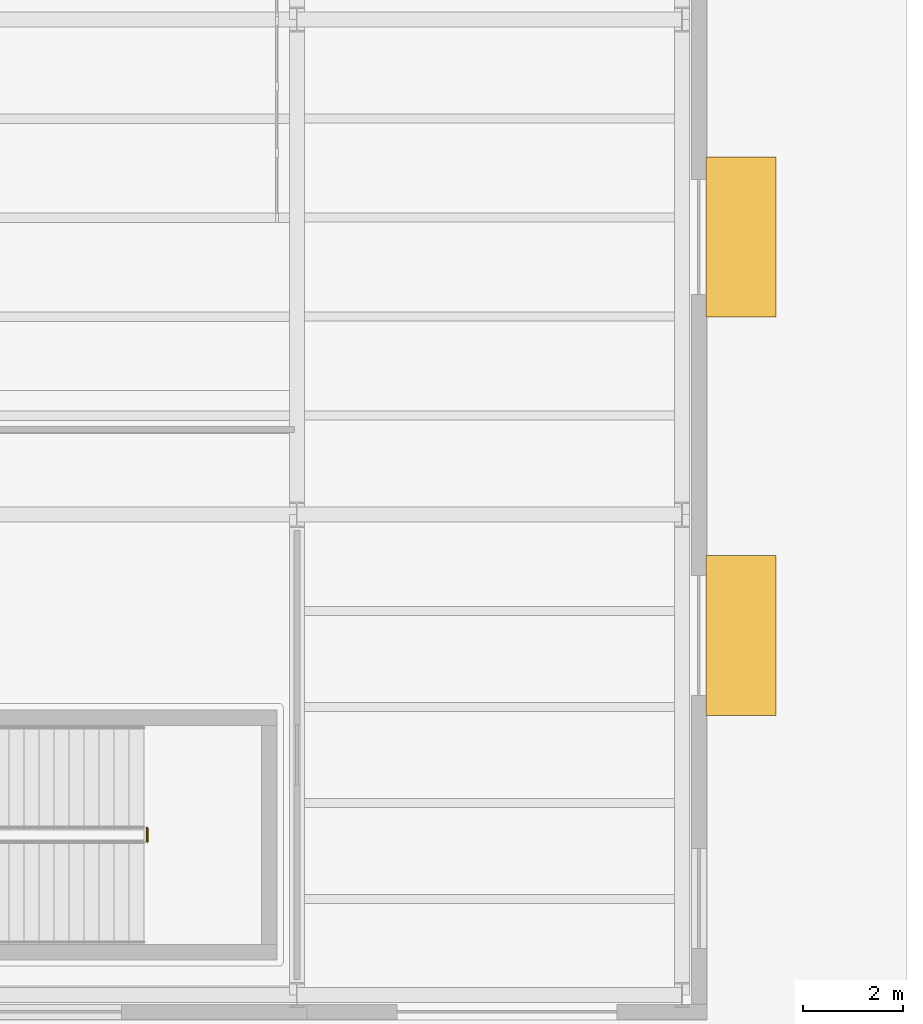
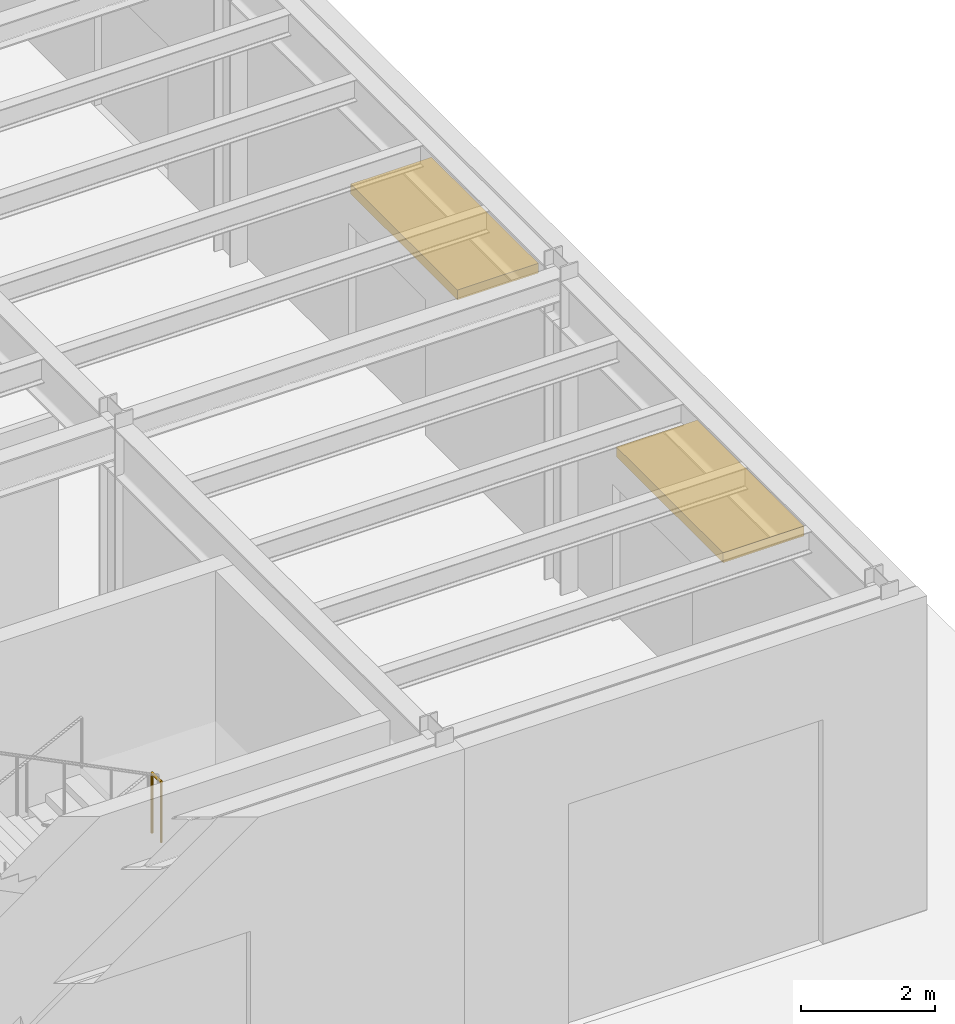
# One storey, part 115 of 118: 2 shading devices, 1 railing, 1 element without a shape of its own.
"""IFC4 building model written with IfcOpenShell, lengths in metres."""

from ifc_helpers import new_model, si_unit, direction, frame, origin, origin_2d, place, context, subcontext, project, spatial, rectangle, circle, extrude, material, type_object, element, aggregate, save


model = new_model("IFC4")

# Units and contexts
model_context = context("Model", 3, precision=1e-05, world=origin(), true_north=direction((0.0, 1.0)))
body_context = subcontext(model_context, "Body", "Model", "MODEL_VIEW")
ifc_project = project(units=[si_unit("LENGTHUNIT", "METRE"), si_unit("AREAUNIT", "SQUARE_METRE"), si_unit("VOLUMEUNIT", "CUBIC_METRE"), si_unit("PLANEANGLEUNIT", "RADIAN"), si_unit("MASSUNIT", "GRAM", prefix="KILO")], contexts=[model_context])

# Site, building, storey
site_placement = place(None, origin())
site = spatial("IfcSite", under=ifc_project, at=site_placement, CompositionType="ELEMENT")
building_placement = place(site_placement, origin())
building = spatial("IfcBuilding", under=site, at=building_placement, Name="Kolvaren Corner Interchange", CompositionType="ELEMENT")
storey_placement = place(building_placement, origin())
storey = spatial("IfcBuildingStorey", under=building, at=storey_placement, Name="L01", CompositionType="ELEMENT", Elevation=0.0)

# Stair, railing
ifc_material_1 = material(Name="Concrete C35/45", Category="concrete")
stair_type = type_object("IfcStairType", Name="ST-PL-2100", PredefinedType="HALF_TURN_STAIR", material=ifc_material_1)
stair_placement = place(storey_placement, origin())
stair = element("IfcStair", 1, at=stair_placement, inside=storey, type_object=stair_type, Name="Bus Dispatch Lounge Exit Stair L01 to L02 Stair", PredefinedType="HALF_TURN_STAIR")
ifc_material_2 = material(Name="Powder-Coated Steel Stairwell Guardrail", Category="steel")
railing_type = type_object("IfcRailingType", Name="RLT-STAIR-GRD1120", PredefinedType="GUARDRAIL", material=ifc_material_2)
railing_placement = place(storey_placement, frame((152.81005859375, 15.840087890625, 3.0)))
railing = element("IfcRailing", 2, at=railing_placement, type_object=railing_type, Name="Bus Dispatch Lounge Exit Stair L01 Half Landing Well Guardrail", PredefinedType="GUARDRAIL", context=body_context, shape_type="SweptSolid", body=[
    extrude(circle(Radius=0.02392578125, at=origin_2d()), frame((0.0, 0.0, 1.09619140625), z_axis=(0.0, -1.0, 0.0), x_axis=(1.0, 0.0, 0.0)), (0.0, 0.0, 1.0), 0.280029296875),
    extrude(circle(Radius=0.02001953125, at=origin_2d()), origin(), (0.0, 0.0, 1.0), 1.072021484375),
    extrude(circle(Radius=0.02001953125, at=origin_2d()), frame((0.0, -0.280029296875, 0.0)), (0.0, 0.0, 1.0), 1.072021484375),
])
aggregate(stair, [railing])

# Shading devices
ifc_material_3 = material(Name="Anodised Aluminium Entrance Rain Canopy", Category="aluminium")
shading_device_type = type_object("IfcShadingDeviceType", Name="SHD-CAN-1400", PredefinedType="AWNING", material=ifc_material_3)
for number, where, z_axis, x_axis, name in (
    (3, (164.68505859375, 19.68994140625, 2.66015625), (0.0, 0.0, 1.0), (0.0, 1.0, 0.0), "Entrance Monsoon Rain Canopy 037"),
    (4, (164.68505859375, 27.649658203125, 2.64013671875), (0.0, 0.0, 1.0), (0.0, 1.0, 0.0), "Entrance Monsoon Rain Canopy 038"),
):
    element("IfcShadingDevice", number, at=place(storey_placement, frame(where, z_axis=z_axis, x_axis=x_axis)), inside=storey, type_object=shading_device_type, Name=name, PredefinedType="AWNING", context=body_context, shape_type="SweptSolid", body=[
        extrude(rectangle(XDim=3.199951171875, YDim=1.39990234375, at=origin_2d()), origin(), (0.0, 0.0, 1.0), 0.179931640625),
    ])

save(model, "model.ifc")
